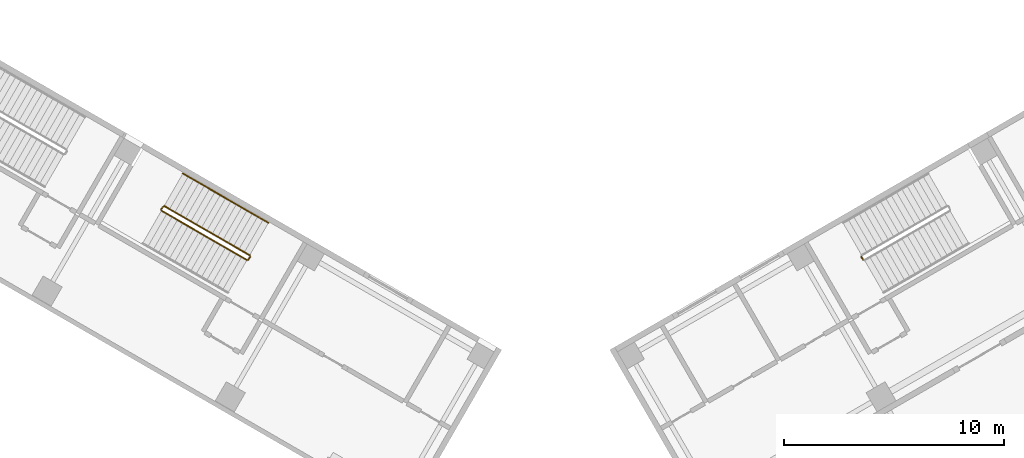
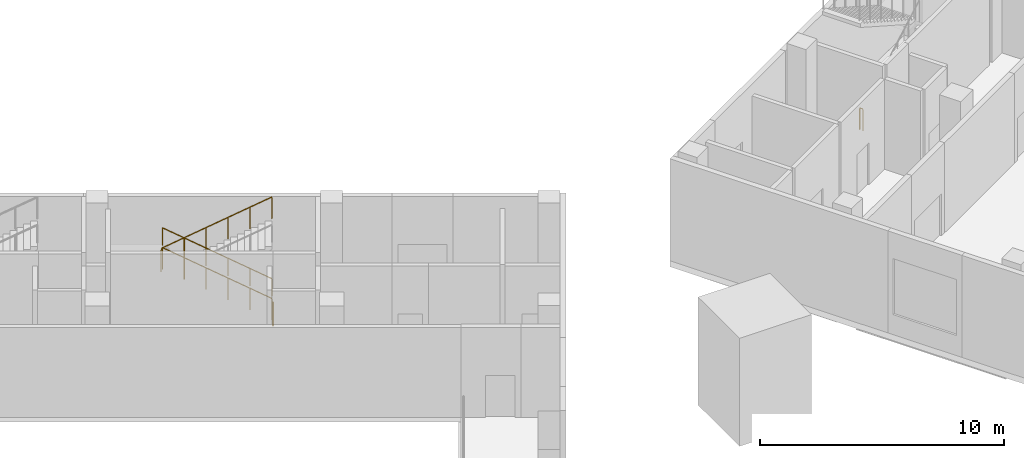
# One storey, part 33 of 35: 5 railings.
"""IFC4 building model written with IfcOpenShell, lengths in metres."""

from ifc_helpers import new_model, si_unit, direction, frame, origin, origin_2d, place, context, subcontext, project, spatial, circle, extrude, material, type_object, element, save


model = new_model("IFC4")

# Units and contexts
model_context = context("Model", 3, precision=1e-05, world=origin(), true_north=direction((0.0, 1.0)))
body_context = subcontext(model_context, "Body", "Model", "MODEL_VIEW")
ifc_project = project(units=[si_unit("LENGTHUNIT", "METRE"), si_unit("AREAUNIT", "SQUARE_METRE"), si_unit("VOLUMEUNIT", "CUBIC_METRE"), si_unit("PLANEANGLEUNIT", "RADIAN"), si_unit("MASSUNIT", "GRAM", prefix="KILO")], contexts=[model_context])

# Site, building, storey
site_placement = place(None, origin())
site = spatial("IfcSite", under=ifc_project, at=site_placement, CompositionType="ELEMENT")
building_placement = place(site_placement, origin())
building = spatial("IfcBuilding", under=site, at=building_placement, Name="Mestral Congress Tower", CompositionType="ELEMENT")
storey_placement = place(building_placement, frame((0.0, 0.0, 6.0)))
storey = spatial("IfcBuildingStorey", under=building, at=storey_placement, Name="L01", CompositionType="ELEMENT", Elevation=6.0)

# Railings
ifc_material_1 = material(Name="Steel balustrade", Category="steel")
railing_type_1 = type_object("IfcRailingType", Name="Podium stair guard 1100", PredefinedType="GUARDRAIL", material=ifc_material_1)
railing_1_placement = place(storey_placement, frame((13.946533203125, 51.69970703125, 0.0)))
element("IfcRailing", 1, at=railing_1_placement, inside=storey, type_object=railing_type_1, Name="L01 PS-E4 stair guard 3", PredefinedType="GUARDRAIL", context=body_context, shape_type="SweptSolid", body=[
    extrude(circle(Radius=0.02392578125, at=origin_2d()), frame((0.0, 0.0, 1.076171875), z_axis=(-0.499816412211, 0.866131372301, 0.0), x_axis=(-0.866131372301, -0.499816412211, 0.0)), (0.0, 0.0, 1.0), 0.14990234375),
    extrude(circle(Radius=0.02099609375, at=origin_2d()), origin(), (0.0, 0.0, 1.0), 1.052001953125),
    extrude(circle(Radius=0.02099609375, at=origin_2d()), frame((-0.074951171875, 0.1298828125, 0.0)), (0.0, 0.0, 1.0), 1.052001953125),
])
railing_2_placement = place(storey_placement, frame((-13.889892578125, 51.89794921875, 0.158935546875)))
element("IfcRailing", 2, at=railing_2_placement, inside=storey, type_object=railing_type_1, Name="L01 PS-W1 stair guard 1", PredefinedType="GUARDRAIL", context=body_context, shape_type="SweptSolid", body=[
    extrude(circle(Radius=0.02392578125, at=origin_2d()), frame((0.0, 0.0, 1.076171875), z_axis=(-0.753299937478, 0.434906048726, 0.493351733531), x_axis=(-0.499989762656, -0.866031314237, 0.0)), (0.0, 0.0, 1.0), 5.150634765625),
    extrude(circle(Radius=0.02392578125, at=origin_2d()), frame((-3.8798828125, 2.239990234375, 3.6171875), z_axis=(-0.695164929852, -0.718850276695, 0.0), x_axis=(0.718850276695, -0.695164929852, 0.0)), (0.0, 0.0, 1.0), 0.2060546875),
    extrude(circle(Radius=0.02099609375, at=origin_2d()), origin(), (0.0, 0.0, 1.0), 1.052001953125),
    extrude(circle(Radius=0.02099609375, at=origin_2d()), frame((-0.77587890625, 0.447998046875, 0.50830078125)), (0.0, 0.0, 1.0), 1.052001953125),
    extrude(circle(Radius=0.02099609375, at=origin_2d()), frame((-1.552001953125, 0.89599609375, 1.016357421875)), (0.0, 0.0, 1.0), 1.052001953125),
    extrude(circle(Radius=0.02099609375, at=origin_2d()), frame((-2.327880859375, 1.343994140625, 1.524658203125)), (0.0, 0.0, 1.0), 1.052001953125),
    extrude(circle(Radius=0.02099609375, at=origin_2d()), frame((-3.10400390625, 1.7919921875, 2.03271484375)), (0.0, 0.0, 1.0), 1.052001953125),
    extrude(circle(Radius=0.02099609375, at=origin_2d()), frame((-3.8798828125, 2.239990234375, 2.541015625)), (0.0, 0.0, 1.0), 1.052001953125),
    extrude(circle(Radius=0.02099609375, at=origin_2d()), frame((-4.023193359375, 2.091796875, 2.541015625)), (0.0, 0.0, 1.0), 1.052001953125),
])
railing_3_placement = place(storey_placement, frame((-17.894775390625, 53.92138671875, 2.85888671875)))
element("IfcRailing", 3, at=railing_3_placement, inside=storey, type_object=railing_type_1, Name="L01 PS-W1 stair guard 2", PredefinedType="GUARDRAIL", context=body_context, shape_type="SweptSolid", body=[
    extrude(circle(Radius=0.02392578125, at=origin_2d()), frame((0.0, 0.0, 1.076171875), z_axis=(0.753299937478, -0.434906048726, 0.493351733531), x_axis=(0.499989762656, 0.866031314237, 0.0)), (0.0, 0.0, 1.0), 5.150634765625),
    extrude(circle(Radius=0.02099609375, at=origin_2d()), origin(), (0.0, 0.0, 1.0), 1.052001953125),
    extrude(circle(Radius=0.02099609375, at=origin_2d()), frame((0.77587890625, -0.447998046875, 0.50830078125)), (0.0, 0.0, 1.0), 1.052001953125),
    extrude(circle(Radius=0.02099609375, at=origin_2d()), frame((1.552001953125, -0.89599609375, 1.016357421875)), (0.0, 0.0, 1.0), 1.052001953125),
    extrude(circle(Radius=0.02099609375, at=origin_2d()), frame((2.327880859375, -1.343994140625, 1.524658203125)), (0.0, 0.0, 1.0), 1.052001953125),
    extrude(circle(Radius=0.02099609375, at=origin_2d()), frame((3.10400390625, -1.7919921875, 2.03271484375)), (0.0, 0.0, 1.0), 1.052001953125),
    extrude(circle(Radius=0.02099609375, at=origin_2d()), frame((3.8798828125, -2.239990234375, 2.541015625)), (0.0, 0.0, 1.0), 1.052001953125),
])
railing_4_placement = place(storey_placement, frame((-13.87158203125, 51.82958984375, 0.0)))
element("IfcRailing", 4, at=railing_4_placement, inside=storey, type_object=railing_type_1, Name="L01 PS-W1 stair guard 3", PredefinedType="GUARDRAIL", context=body_context, shape_type="SweptSolid", body=[
    extrude(circle(Radius=0.02392578125, at=origin_2d()), frame((0.0, 0.0, 1.076171875), z_axis=(-0.499816412211, -0.866131372301, 0.0), x_axis=(0.866131372301, -0.499816412211, 0.0)), (0.0, 0.0, 1.0), 0.14990234375),
    extrude(circle(Radius=0.02099609375, at=origin_2d()), origin(), (0.0, 0.0, 1.0), 1.052001953125),
    extrude(circle(Radius=0.02099609375, at=origin_2d()), frame((-0.074951171875, -0.1298828125, 0.0)), (0.0, 0.0, 1.0), 1.052001953125),
])
ifc_material_2 = material(Name="Steel handrail", Category="steel")
railing_type_2 = type_object("IfcRailingType", Name="Podium stair handrail 900", PredefinedType="HANDRAIL", material=ifc_material_2)
railing_5_placement = place(storey_placement, frame((-13.0400390625, 53.3701171875, 0.158935546875)))
element("IfcRailing", 5, at=railing_5_placement, inside=storey, type_object=railing_type_2, Name="L01 PS-W1 stair handrail 1", PredefinedType="HANDRAIL", context=body_context, shape_type="SweptSolid", body=[
    extrude(circle(Radius=0.02392578125, at=origin_2d()), frame((0.0, 0.0, 0.8759765625), z_axis=(-0.7532794335, 0.434921578401, 0.49336935019), x_axis=(-0.500013360201, -0.866017690131, 0.0)), (0.0, 0.0, 1.0), 5.150390625),
    extrude(circle(Radius=0.02099609375, at=origin_2d()), origin(), (0.0, 0.0, 1.0), 0.851806640625),
    extrude(circle(Radius=0.02099609375, at=origin_2d()), frame((-0.77587890625, 0.447998046875, 0.50830078125)), (0.0, 0.0, 1.0), 0.851806640625),
    extrude(circle(Radius=0.02099609375, at=origin_2d()), frame((-1.5517578125, 0.89599609375, 1.016357421875)), (0.0, 0.0, 1.0), 0.851806640625),
    extrude(circle(Radius=0.02099609375, at=origin_2d()), frame((-2.327880859375, 1.343994140625, 1.524658203125)), (0.0, 0.0, 1.0), 0.851806640625),
    extrude(circle(Radius=0.02099609375, at=origin_2d()), frame((-3.103759765625, 1.7919921875, 2.03271484375)), (0.0, 0.0, 1.0), 0.851806640625),
    extrude(circle(Radius=0.02099609375, at=origin_2d()), frame((-3.879638671875, 2.239990234375, 2.541015625)), (0.0, 0.0, 1.0), 0.851806640625),
])

save(model, "model.ifc")
